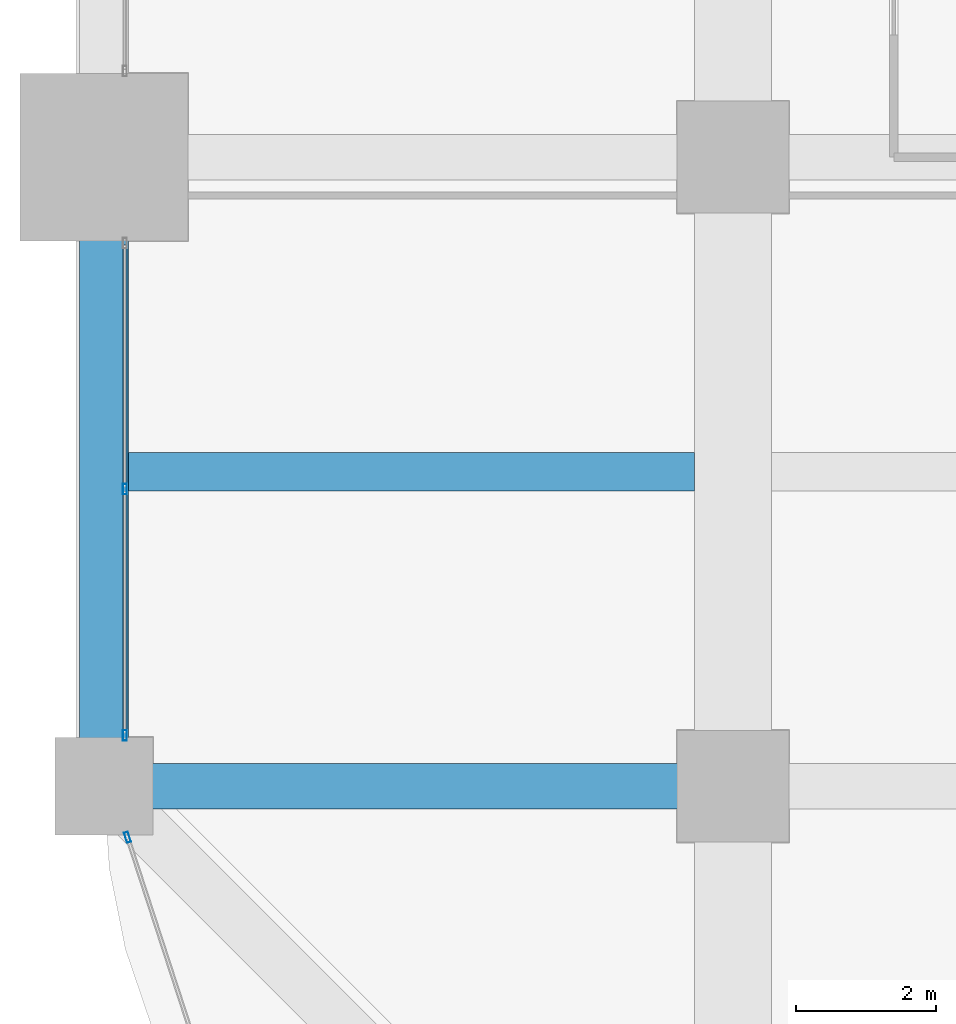
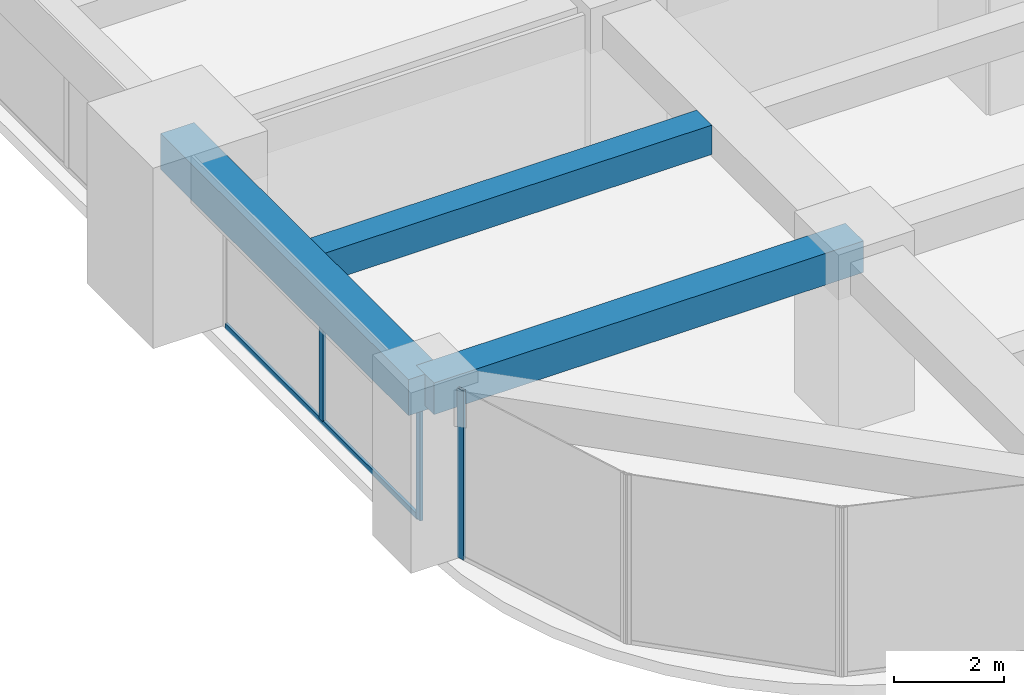
# One storey, part 4 of 33: 4 members, 3 beams, 2 elements without a shape of their own.
"""IFC4 building model written with IfcOpenShell, lengths in metres."""

from ifc_helpers import new_model, si_unit, direction, frame, origin, origin_2d, place, context, subcontext, project, spatial, rectangle, hollow_rectangle, extrude, material, material_profile, profile_set, type_object, element, aggregate, save


model = new_model("IFC4")

# Units and contexts
model_context = context("Model", 3, precision=1e-05, world=origin(), true_north=direction((0.0, 1.0)))
body_context = subcontext(model_context, "Body", "Model", "MODEL_VIEW")
ifc_project = project(units=[si_unit("LENGTHUNIT", "METRE"), si_unit("AREAUNIT", "SQUARE_METRE"), si_unit("VOLUMEUNIT", "CUBIC_METRE"), si_unit("PLANEANGLEUNIT", "RADIAN"), si_unit("MASSUNIT", "GRAM", prefix="KILO")], contexts=[model_context])

# Site, building, storey
site_placement = place(None, origin())
site = spatial("IfcSite", under=ifc_project, at=site_placement, CompositionType="ELEMENT")
building_placement = place(site_placement, origin())
building = spatial("IfcBuilding", under=site, at=building_placement, Name="Zorevar Civic Tower", CompositionType="ELEMENT")
storey_placement = place(building_placement, frame((0.0, 0.0, 194.199951171875)))
storey = spatial("IfcBuildingStorey", under=building, at=storey_placement, Name="L47", CompositionType="ELEMENT", Elevation=194.199951171875)

# Beams
ifc_material_1 = material(Name="Concrete C50/60", Category="concrete")
ifc_material_profile_1 = material_profile(ifc_material_1, rectangle(XDim=0.550048828125, YDim=0.64990234375, at=origin_2d()), Name="RC 550x650")
ifc_profile_set_1 = profile_set([ifc_material_profile_1], Name="Concrete C50/60")
beam_type_1 = type_object("IfcBeamType", Name="Beam RC 550x650", PredefinedType="BEAM", material=ifc_profile_set_1)
beam_1_placement = place(storey_placement, frame((0.35009765625, 13.5, 3.425048828125), z_axis=(1.0, 0.0, 0.0), x_axis=(0.0, 1.0, 0.0)))
element("IfcBeam", 1, at=beam_1_placement, inside=storey, type_object=beam_type_1, Name="Secondary beam L48", PredefinedType="BEAM", context=body_context, shape_type="SweptSolid", body=[
    extrude(rectangle(XDim=0.550048828125, YDim=0.64990234375, at=origin_2d()), origin(), (0.0, 0.0, 1.0), 8.099853515625),
])
ifc_material_2 = material(Name="Concrete C50/60", Category="concrete")
ifc_material_profile_2 = material_profile(ifc_material_2, rectangle(XDim=0.64990234375, YDim=0.699951171875, at=origin_2d()), Name="RC 650x700")
ifc_profile_set_2 = profile_set([ifc_material_profile_2], Name="Concrete C50/60")
beam_type_2 = type_object("IfcBeamType", Name="Beam RC 650x700", PredefinedType="BEAM", material=ifc_profile_set_2)
beam_2_placement = place(storey_placement, frame((0.0, 9.0, 3.400146484375), z_axis=(1.0, 0.0, 0.0), x_axis=(0.0, 1.0, 0.0)))
element("IfcBeam", 2, at=beam_2_placement, inside=storey, type_object=beam_type_2, Name="Girder L48", PredefinedType="BEAM", context=body_context, shape_type="SweptSolid", body=[
    extrude(rectangle(XDim=0.64990234375, YDim=0.699951171875, at=origin_2d()), origin(), (0.0, 0.0, 1.0), 9.0),
])

# Curtain wall, members
ifc_material_3 = material(Name="Dark grey solar-control glass in black aluminium frame", Category="aluminium")
curtain_wall_type = type_object("IfcCurtainWallType", Name="Curtain wall CW4 high zone", PredefinedType="NOTDEFINED", material=ifc_material_3)
curtain_wall_1_placement = place(storey_placement, origin())
curtain_wall_1 = element("IfcCurtainWall", 3, at=curtain_wall_1_placement, inside=storey, type_object=curtain_wall_type, Name="CW4 L47", PredefinedType="NOTDEFINED")
ifc_material_4 = material(Name="Aluminium, black anodised", Category="aluminium")
ifc_material_profile_3 = material_profile(ifc_material_4, hollow_rectangle(XDim=0.06005859375, YDim=0.14990234375, WallThickness=0.00390625, at=origin_2d()), Name="AL 150x60x4")
ifc_profile_set_3 = profile_set([ifc_material_profile_3], Name="Aluminium, black anodised")
member_type_1 = type_object("IfcMemberType", Name="CW4 mullion AL 150x60x4", PredefinedType="MULLION", material=ifc_profile_set_3)
member_1_placement = place(storey_placement, frame((0.300048828125, 9.72998046875, 0.0), z_axis=(0.0, 0.0, 1.0), x_axis=(-1.0, 0.0, 0.0)))
member_1 = element("IfcMember", 4, at=member_1_placement, type_object=member_type_1, Name="CW4 mullion 1", PredefinedType="MULLION", context=body_context, shape_type="SweptSolid", body=[
    extrude(hollow_rectangle(XDim=0.06005859375, YDim=0.14990234375, WallThickness=0.00390625, at=origin_2d()), origin(), (0.0, 0.0, 1.0), 2.949951171875),
])
member_2_placement = place(storey_placement, frame((0.300048828125, 13.25, 0.06005859375), z_axis=(0.0, 0.0, 1.0), x_axis=(-1.0, 0.0, 0.0)))
member_2 = element("IfcMember", 5, at=member_2_placement, type_object=member_type_1, Name="CW4 mullion 2", PredefinedType="MULLION", context=body_context, shape_type="SweptSolid", body=[
    extrude(hollow_rectangle(XDim=0.06005859375, YDim=0.14990234375, WallThickness=0.00390625, at=origin_2d()), origin(), (0.0, 0.0, 1.0), 2.889892578125),
])

# Curtain wall, member
curtain_wall_2_placement = place(storey_placement, origin())
curtain_wall_2 = element("IfcCurtainWall", 6, at=curtain_wall_2_placement, inside=storey, type_object=curtain_wall_type, Name="CW4 L47", PredefinedType="NOTDEFINED")
member_3_placement = place(storey_placement, frame((0.337646484375, 8.271484375, 0.0), z_axis=(0.0, 0.0, 1.0), x_axis=(0.950644749916, 0.310281419775, 0.0)))
member_3 = element("IfcMember", 7, at=member_3_placement, type_object=member_type_1, Name="CW4 mullion 1", PredefinedType="MULLION", context=body_context, shape_type="SweptSolid", body=[
    extrude(hollow_rectangle(XDim=0.06005859375, YDim=0.14990234375, WallThickness=0.00390625, at=origin_2d()), origin(), (0.0, 0.0, 1.0), 3.75),
])
aggregate(curtain_wall_2, [member_3])

# Member
ifc_material_5 = material(Name="Aluminium, black anodised", Category="aluminium")
ifc_material_profile_4 = material_profile(ifc_material_5, hollow_rectangle(XDim=0.06005859375, YDim=0.1201171875, WallThickness=0.0029296875, at=origin_2d()), Name="AL 120x60x3")
ifc_profile_set_4 = profile_set([ifc_material_profile_4], Name="Aluminium, black anodised")
member_type_2 = type_object("IfcMemberType", Name="CW4 transom AL 120x60x3", PredefinedType="USERDEFINED", material=ifc_profile_set_4)
member_4_placement = place(storey_placement, frame((0.300048828125, 9.760009765625, 0.030029296875), z_axis=(0.0, 1.0, 0.0), x_axis=(-1.0, 0.0, 0.0)))
member_4 = element("IfcMember", 8, at=member_4_placement, type_object=member_type_2, Name="CW4 sill transom", ObjectType="TRANSOM", PredefinedType="USERDEFINED", context=body_context, shape_type="SweptSolid", body=[
    extrude(hollow_rectangle(XDim=0.06005859375, YDim=0.1201171875, WallThickness=0.0029296875, at=origin_2d()), origin(), (0.0, 0.0, 1.0), 6.97998046875),
])

aggregate(curtain_wall_1, [member_1, member_2, member_4])

# Beam
ifc_material_6 = material(Name="Concrete C50/60", Category="concrete")
ifc_material_profile_5 = material_profile(ifc_material_6, rectangle(XDim=0.699951171875, YDim=0.800048828125, at=origin_2d()), Name="RC 700x800")
ifc_profile_set_5 = profile_set([ifc_material_profile_5], Name="Concrete C50/60")
beam_type_3 = type_object("IfcBeamType", Name="Edge beam RC 700x800", PredefinedType="SPANDREL", material=ifc_profile_set_5)
beam_3_placement = place(storey_placement, frame((0.0, 9.0, 3.35009765625), z_axis=(0.0, 1.0, 0.0), x_axis=(-1.0, 0.0, 0.0)))
element("IfcBeam", 9, at=beam_3_placement, inside=storey, type_object=beam_type_3, Name="Edge beam L48", PredefinedType="SPANDREL", context=body_context, shape_type="SweptSolid", body=[
    extrude(rectangle(XDim=0.699951171875, YDim=0.800048828125, at=origin_2d()), origin(), (0.0, 0.0, 1.0), 9.0),
])

save(model, "model.ifc")
